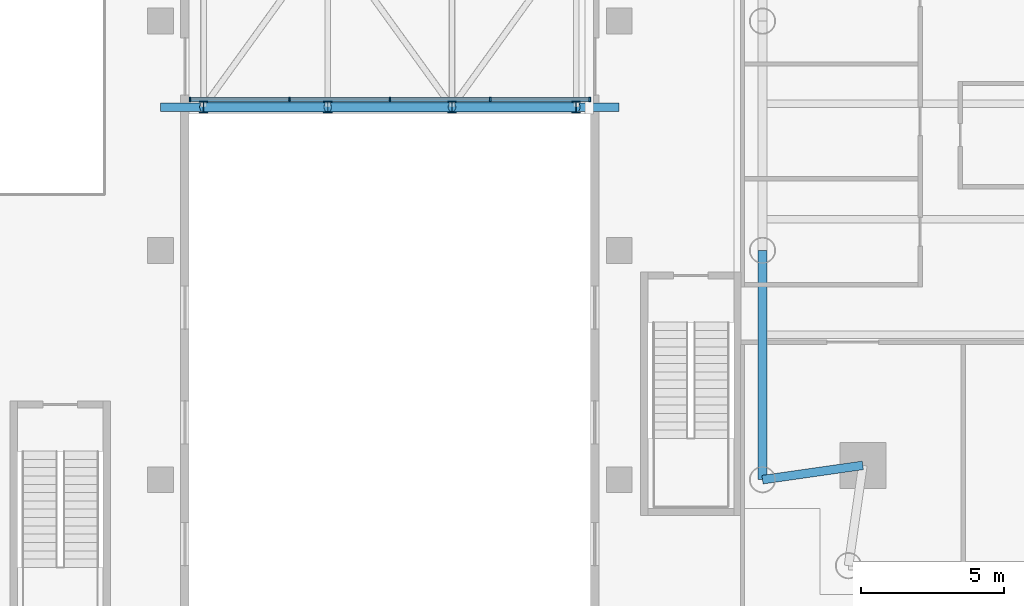
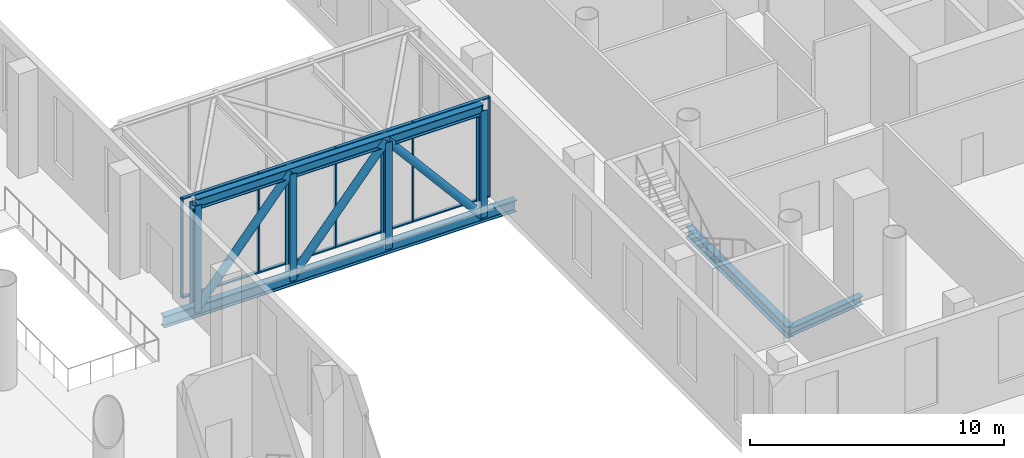
# One storey, part 4 of 23: 22 members, 2 beams, 1 element without a shape of its own.
"""IFC4 building model written with IfcOpenShell, lengths in metres."""

from ifc_helpers import new_model, si_unit, direction, frame, origin, origin_2d, place, context, subcontext, project, spatial, rectangle, hollow_circle, i_section, extrude, material, material_profile, profile_set, type_object, element, aggregate, save


model = new_model("IFC4")

# Units and contexts
model_context = context("Model", 3, precision=1e-05, world=origin(), true_north=direction((0.0, 1.0)))
body_context = subcontext(model_context, "Body", "Model", "MODEL_VIEW")
ifc_project = project(units=[si_unit("LENGTHUNIT", "METRE"), si_unit("AREAUNIT", "SQUARE_METRE"), si_unit("VOLUMEUNIT", "CUBIC_METRE"), si_unit("PLANEANGLEUNIT", "RADIAN"), si_unit("MASSUNIT", "GRAM", prefix="KILO")], contexts=[model_context])

# Site, building, storey
site_placement = place(None, origin())
site = spatial("IfcSite", under=ifc_project, at=site_placement, CompositionType="ELEMENT")
building_placement = place(site_placement, origin())
building = spatial("IfcBuilding", under=site, at=building_placement, Name="Ostroluk Exchange", CompositionType="ELEMENT")
storey_placement = place(building_placement, frame((0.0, 0.0, 11.0)))
storey = spatial("IfcBuildingStorey", under=building, at=storey_placement, Name="L02", CompositionType="ELEMENT", Elevation=11.0)

# Curtain wall, members
ifc_material_1 = material(Name="Laminated clear glass", Category="glass")
curtain_wall_type = type_object("IfcCurtainWallType", Name="Bridge glazing", PredefinedType="USERDEFINED", material=ifc_material_1)
curtain_wall_placement = place(storey_placement, origin())
curtain_wall = element("IfcCurtainWall", 1, at=curtain_wall_placement, inside=storey, type_object=curtain_wall_type, Name="Podium bridge south glazing", ObjectType="STICK CURTAIN WALL", PredefinedType="USERDEFINED")
ifc_material_2 = material(Name="Aluminium mullion", Category="aluminium")
ifc_material_profile_1 = material_profile(ifc_material_2, rectangle(XDim=0.14990234375, YDim=0.06005859375, at=origin_2d()), Name="Bridge mullion 60 x 150")
ifc_profile_set_1 = profile_set([ifc_material_profile_1], Name="Aluminium mullion")
member_type_1 = type_object("IfcMemberType", Name="Bridge mullion 60 x 150", PredefinedType="MULLION", material=ifc_profile_set_1)
member_1_placement = place(storey_placement, frame((78.030029296875, 43.264892578125, 0.0), z_axis=(0.0, 0.0, 1.0), x_axis=(0.0, 1.0, 0.0)))
member_1 = element("IfcMember", 2, at=member_1_placement, type_object=member_type_1, Name="CW-BR1 mullion 1", PredefinedType="MULLION", context=body_context, shape_type="SweptSolid", body=[
    extrude(rectangle(XDim=0.14990234375, YDim=0.06005859375, at=origin_2d()), origin(), (0.0, 0.0, 1.0), 4.800048828125),
])
member_2_placement = place(storey_placement, frame((81.5, 43.264892578125, 0.0), z_axis=(0.0, 0.0, 1.0), x_axis=(0.0, 1.0, 0.0)))
member_2 = element("IfcMember", 3, at=member_2_placement, type_object=member_type_1, Name="CW-BR1 mullion 2", PredefinedType="MULLION", context=body_context, shape_type="SweptSolid", body=[
    extrude(rectangle(XDim=0.14990234375, YDim=0.06005859375, at=origin_2d()), origin(), (0.0, 0.0, 1.0), 4.800048828125),
])
member_3_placement = place(storey_placement, frame((85.0, 43.264892578125, 0.0), z_axis=(0.0, 0.0, 1.0), x_axis=(0.0, 1.0, 0.0)))
member_3 = element("IfcMember", 4, at=member_3_placement, type_object=member_type_1, Name="CW-BR1 mullion 3", PredefinedType="MULLION", context=body_context, shape_type="SweptSolid", body=[
    extrude(rectangle(XDim=0.14990234375, YDim=0.06005859375, at=origin_2d()), origin(), (0.0, 0.0, 1.0), 4.800048828125),
])
member_4_placement = place(storey_placement, frame((88.5, 43.264892578125, 0.0), z_axis=(0.0, 0.0, 1.0), x_axis=(0.0, 1.0, 0.0)))
member_4 = element("IfcMember", 5, at=member_4_placement, type_object=member_type_1, Name="CW-BR1 mullion 4", PredefinedType="MULLION", context=body_context, shape_type="SweptSolid", body=[
    extrude(rectangle(XDim=0.14990234375, YDim=0.06005859375, at=origin_2d()), origin(), (0.0, 0.0, 1.0), 4.800048828125),
])
member_5_placement = place(storey_placement, frame((91.969970703125, 43.264892578125, 0.0), z_axis=(0.0, 0.0, 1.0), x_axis=(0.0, 1.0, 0.0)))
member_5 = element("IfcMember", 6, at=member_5_placement, type_object=member_type_1, Name="CW-BR1 mullion 5", PredefinedType="MULLION", context=body_context, shape_type="SweptSolid", body=[
    extrude(rectangle(XDim=0.14990234375, YDim=0.06005859375, at=origin_2d()), origin(), (0.0, 0.0, 1.0), 4.800048828125),
])
ifc_material_3 = material(Name="Aluminium mullion", Category="aluminium")
ifc_material_profile_2 = material_profile(ifc_material_3, rectangle(XDim=0.14990234375, YDim=0.06005859375, at=origin_2d()), Name="Bridge transom 60 x 150")
ifc_profile_set_2 = profile_set([ifc_material_profile_2], Name="Aluminium mullion")
member_type_2 = type_object("IfcMemberType", Name="Bridge transom 60 x 150", PredefinedType="USERDEFINED", material=ifc_profile_set_2)
member_6_placement = place(storey_placement, frame((78.06005859375, 43.264892578125, 0.030029296875), z_axis=(1.0, 0.0, 0.0), x_axis=(0.0, 1.0, 0.0)))
member_6 = element("IfcMember", 7, at=member_6_placement, type_object=member_type_2, Name="CW-BR1 transom 1.1", ObjectType="TRANSOM", PredefinedType="USERDEFINED", context=body_context, shape_type="SweptSolid", body=[
    extrude(rectangle(XDim=0.14990234375, YDim=0.06005859375, at=origin_2d()), origin(), (0.0, 0.0, 1.0), 3.409912109375),
])
member_7_placement = place(storey_placement, frame((78.06005859375, 43.264892578125, 4.77001953125), z_axis=(1.0, 0.0, 0.0), x_axis=(0.0, 1.0, 0.0)))
member_7 = element("IfcMember", 8, at=member_7_placement, type_object=member_type_2, Name="CW-BR1 transom 1.2", ObjectType="TRANSOM", PredefinedType="USERDEFINED", context=body_context, shape_type="SweptSolid", body=[
    extrude(rectangle(XDim=0.14990234375, YDim=0.06005859375, at=origin_2d()), origin(), (0.0, 0.0, 1.0), 3.409912109375),
])
member_8_placement = place(storey_placement, frame((81.530029296875, 43.264892578125, 0.030029296875), z_axis=(1.0, 0.0, 0.0), x_axis=(0.0, 1.0, 0.0)))
member_8 = element("IfcMember", 9, at=member_8_placement, type_object=member_type_2, Name="CW-BR1 transom 2.1", ObjectType="TRANSOM", PredefinedType="USERDEFINED", context=body_context, shape_type="SweptSolid", body=[
    extrude(rectangle(XDim=0.14990234375, YDim=0.06005859375, at=origin_2d()), origin(), (0.0, 0.0, 1.0), 3.43994140625),
])
member_9_placement = place(storey_placement, frame((81.530029296875, 43.264892578125, 4.77001953125), z_axis=(1.0, 0.0, 0.0), x_axis=(0.0, 1.0, 0.0)))
member_9 = element("IfcMember", 10, at=member_9_placement, type_object=member_type_2, Name="CW-BR1 transom 2.2", ObjectType="TRANSOM", PredefinedType="USERDEFINED", context=body_context, shape_type="SweptSolid", body=[
    extrude(rectangle(XDim=0.14990234375, YDim=0.06005859375, at=origin_2d()), origin(), (0.0, 0.0, 1.0), 3.43994140625),
])
member_10_placement = place(storey_placement, frame((85.030029296875, 43.264892578125, 0.030029296875), z_axis=(1.0, 0.0, 0.0), x_axis=(0.0, 1.0, 0.0)))
member_10 = element("IfcMember", 11, at=member_10_placement, type_object=member_type_2, Name="CW-BR1 transom 3.1", ObjectType="TRANSOM", PredefinedType="USERDEFINED", context=body_context, shape_type="SweptSolid", body=[
    extrude(rectangle(XDim=0.14990234375, YDim=0.06005859375, at=origin_2d()), origin(), (0.0, 0.0, 1.0), 3.43994140625),
])
member_11_placement = place(storey_placement, frame((85.030029296875, 43.264892578125, 4.77001953125), z_axis=(1.0, 0.0, 0.0), x_axis=(0.0, 1.0, 0.0)))
member_11 = element("IfcMember", 12, at=member_11_placement, type_object=member_type_2, Name="CW-BR1 transom 3.2", ObjectType="TRANSOM", PredefinedType="USERDEFINED", context=body_context, shape_type="SweptSolid", body=[
    extrude(rectangle(XDim=0.14990234375, YDim=0.06005859375, at=origin_2d()), origin(), (0.0, 0.0, 1.0), 3.43994140625),
])
member_12_placement = place(storey_placement, frame((88.530029296875, 43.264892578125, 0.030029296875), z_axis=(1.0, 0.0, 0.0), x_axis=(0.0, 1.0, 0.0)))
member_12 = element("IfcMember", 13, at=member_12_placement, type_object=member_type_2, Name="CW-BR1 transom 4.1", ObjectType="TRANSOM", PredefinedType="USERDEFINED", context=body_context, shape_type="SweptSolid", body=[
    extrude(rectangle(XDim=0.14990234375, YDim=0.06005859375, at=origin_2d()), origin(), (0.0, 0.0, 1.0), 3.409912109375),
])
member_13_placement = place(storey_placement, frame((88.530029296875, 43.264892578125, 4.77001953125), z_axis=(1.0, 0.0, 0.0), x_axis=(0.0, 1.0, 0.0)))
member_13 = element("IfcMember", 14, at=member_13_placement, type_object=member_type_2, Name="CW-BR1 transom 4.2", ObjectType="TRANSOM", PredefinedType="USERDEFINED", context=body_context, shape_type="SweptSolid", body=[
    extrude(rectangle(XDim=0.14990234375, YDim=0.06005859375, at=origin_2d()), origin(), (0.0, 0.0, 1.0), 3.409912109375),
])
aggregate(curtain_wall, [member_1, member_2, member_3, member_4, member_5, member_6, member_7, member_8, member_9, member_10, member_11, member_12, member_13])

# Members
ifc_material_4 = material(Name="Steel S460", Category="steel")
ifc_material_profile_3 = material_profile(ifc_material_4, i_section(OverallWidth=0.300048828125, OverallDepth=0.5, WebThickness=0.014404296875, FlangeThickness=0.028076171875, FilletRadius=0.027099609375, at=origin_2d()), Name="HEB 500")
ifc_profile_set_3 = profile_set([ifc_material_profile_3], Name="Steel S460")
member_type_3 = type_object("IfcMemberType", Name="Bridge truss chord HEB 500", PredefinedType="CHORD", material=ifc_profile_set_3)
member_14_placement = place(storey_placement, frame((78.5, 43.0, 4.550048828125), z_axis=(1.0, 0.0, 0.0), x_axis=(0.0, 1.0, 0.0)))
element("IfcMember", 15, at=member_14_placement, inside=storey, type_object=member_type_3, Name="BR1 S top chord", PredefinedType="CHORD", context=body_context, shape_type="SweptSolid", body=[
    extrude(i_section(OverallWidth=0.300048828125, OverallDepth=0.5, WebThickness=0.014404296875, FlangeThickness=0.028076171875, FilletRadius=0.027099609375, at=origin_2d()), origin(), (0.0, 0.0, 1.0), 13.0),
])
ifc_material_5 = material(Name="Steel S460", Category="steel")
ifc_material_profile_4 = material_profile(ifc_material_5, i_section(OverallWidth=0.300048828125, OverallDepth=0.550048828125, WebThickness=0.014892578125, FlangeThickness=0.029052734375, FilletRadius=0.027099609375, at=origin_2d()), Name="HEB 550")
ifc_profile_set_4 = profile_set([ifc_material_profile_4], Name="Steel S460")
member_type_4 = type_object("IfcMemberType", Name="Bridge truss chord HEB 550", PredefinedType="CHORD", material=ifc_profile_set_4)
member_15_placement = place(storey_placement, frame((77.0, 43.0, -0.574951171875), z_axis=(1.0, 0.0, 0.0), x_axis=(0.0, 1.0, 0.0)))
element("IfcMember", 16, at=member_15_placement, inside=storey, type_object=member_type_4, Name="BR1 S bottom chord", PredefinedType="CHORD", context=body_context, shape_type="SweptSolid", body=[
    extrude(i_section(OverallWidth=0.300048828125, OverallDepth=0.550048828125, WebThickness=0.014892578125, FlangeThickness=0.029052734375, FilletRadius=0.027099609375, at=origin_2d()), origin(), (0.0, 0.0, 1.0), 16.0),
])
ifc_material_6 = material(Name="Steel S460", Category="steel")
ifc_material_profile_5 = material_profile(ifc_material_6, hollow_circle(Radius=0.177734375, WallThickness=0.012451171875, at=origin_2d()), Name="CHS 355.6x12.5")
ifc_profile_set_5 = profile_set([ifc_material_profile_5], Name="Steel S460")
member_type_5 = type_object("IfcMemberType", Name="Bridge truss diagonal CHS 355.6x12.5", PredefinedType="BRACE", material=ifc_profile_set_5)
for number, where, z_axis, x_axis, name in (
    (17, (78.5, 43.0, -0.574951171875), (0.645656824398, 0.0, 0.76362770059), (0.0, 1.0, 0.0), "BR1 S diagonal 1"),
    (18, (82.833251953125, 43.0, -0.574951171875), (0.645678036119, 0.0, 0.763609765308), (0.0, 1.0, 0.0), "BR1 S diagonal 2"),
    (19, (91.5, 43.0, -0.574951171875), (-0.645656824398, 0.0, 0.76362770059), (0.0, -1.0, 0.0), "BR1 S diagonal 3"),
):
    element("IfcMember", number, at=place(storey_placement, frame(where, z_axis=z_axis, x_axis=x_axis)), inside=storey, type_object=member_type_5, Name=name, PredefinedType="BRACE", context=body_context, shape_type="SweptSolid", body=[
        extrude(hollow_circle(Radius=0.177734375, WallThickness=0.012451171875, at=origin_2d()), origin(), (0.0, 0.0, 1.0), 6.71142578125),
    ])
ifc_material_7 = material(Name="Steel S460", Category="steel")
ifc_material_profile_6 = material_profile(ifc_material_7, i_section(OverallWidth=0.300048828125, OverallDepth=0.39990234375, WebThickness=0.013427734375, FlangeThickness=0.02392578125, FilletRadius=0.027099609375, at=origin_2d()), Name="HEB 400")
ifc_profile_set_6 = profile_set([ifc_material_profile_6], Name="Steel S460")
member_type_6 = type_object("IfcMemberType", Name="Bridge truss post HEB 400", PredefinedType="POST", material=ifc_profile_set_6)
for number, where, z_axis, x_axis, name in (
    (20, (78.5, 43.0, -0.574951171875), (0.0, 0.0, 1.0), (1.0, 0.0, 0.0), "BR1 S end post 1"),
    (21, (82.833251953125, 43.0, -0.574951171875), (0.0, 0.0, 1.0), (1.0, 0.0, 0.0), "BR1 S post 2"),
    (22, (87.166748046875, 43.0, -0.574951171875), (0.0, 0.0, 1.0), (1.0, 0.0, 0.0), "BR1 S post 3"),
    (23, (91.5, 43.0, -0.574951171875), (0.0, 0.0, 1.0), (1.0, 0.0, 0.0), "BR1 S end post 4"),
):
    element("IfcMember", number, at=place(storey_placement, frame(where, z_axis=z_axis, x_axis=x_axis)), inside=storey, type_object=member_type_6, Name=name, PredefinedType="POST", context=body_context, shape_type="SweptSolid", body=[
        extrude(i_section(OverallWidth=0.300048828125, OverallDepth=0.39990234375, WebThickness=0.013427734375, FlangeThickness=0.02392578125, FilletRadius=0.027099609375, at=origin_2d()), origin(), (0.0, 0.0, 1.0), 5.125),
    ])

# Beams
ifc_material_8 = material(Name="Steel S355", Category="steel")
ifc_material_profile_7 = material_profile(ifc_material_8, i_section(OverallWidth=0.300048828125, OverallDepth=0.39990234375, WebThickness=0.013427734375, FlangeThickness=0.02392578125, FilletRadius=0.027099609375, at=origin_2d()), Name="HEB 400")
ifc_profile_set_7 = profile_set([ifc_material_profile_7], Name="Steel S355")
beam_type_1 = type_object("IfcBeamType", Name="Corner edge beam HEB 400", PredefinedType="SPANDREL", material=ifc_profile_set_7)
beam_1_placement = place(storey_placement, frame((101.5, 30.5, -0.5), z_axis=(-0.989949493661, -0.141421356237, 0.0), x_axis=(0.141421356237, -0.989949493661, 0.0)))
element("IfcBeam", 24, at=beam_1_placement, inside=storey, type_object=beam_type_1, Name="T2 west corner edge beam a", PredefinedType="SPANDREL", context=body_context, shape_type="SweptSolid", body=[
    extrude(i_section(OverallWidth=0.300048828125, OverallDepth=0.39990234375, WebThickness=0.013427734375, FlangeThickness=0.02392578125, FilletRadius=0.027099609375, at=origin_2d()), origin(), (0.0, 0.0, 1.0), 3.53564453125),
])
ifc_material_9 = material(Name="Steel S355", Category="steel")
ifc_material_profile_8 = material_profile(ifc_material_9, i_section(OverallWidth=0.300048828125, OverallDepth=0.550048828125, WebThickness=0.014892578125, FlangeThickness=0.029052734375, FilletRadius=0.027099609375, at=origin_2d()), Name="HEB 550")
ifc_profile_set_8 = profile_set([ifc_material_profile_8], Name="Steel S355")
beam_type_2 = type_object("IfcBeamType", Name="Moment-connected edge beam HEB 550", PredefinedType="SPANDREL", material=ifc_profile_set_8)
beam_2_placement = place(storey_placement, frame((98.0, 38.0, -0.574951171875), z_axis=(0.0, -1.0, 0.0), x_axis=(1.0, 0.0, 0.0)))
element("IfcBeam", 25, at=beam_2_placement, inside=storey, type_object=beam_type_2, Name="T2 west edge beam 4", PredefinedType="SPANDREL", context=body_context, shape_type="SweptSolid", body=[
    extrude(i_section(OverallWidth=0.300048828125, OverallDepth=0.550048828125, WebThickness=0.014892578125, FlangeThickness=0.029052734375, FilletRadius=0.027099609375, at=origin_2d()), origin(), (0.0, 0.0, 1.0), 8.0),
])

save(model, "model.ifc")
